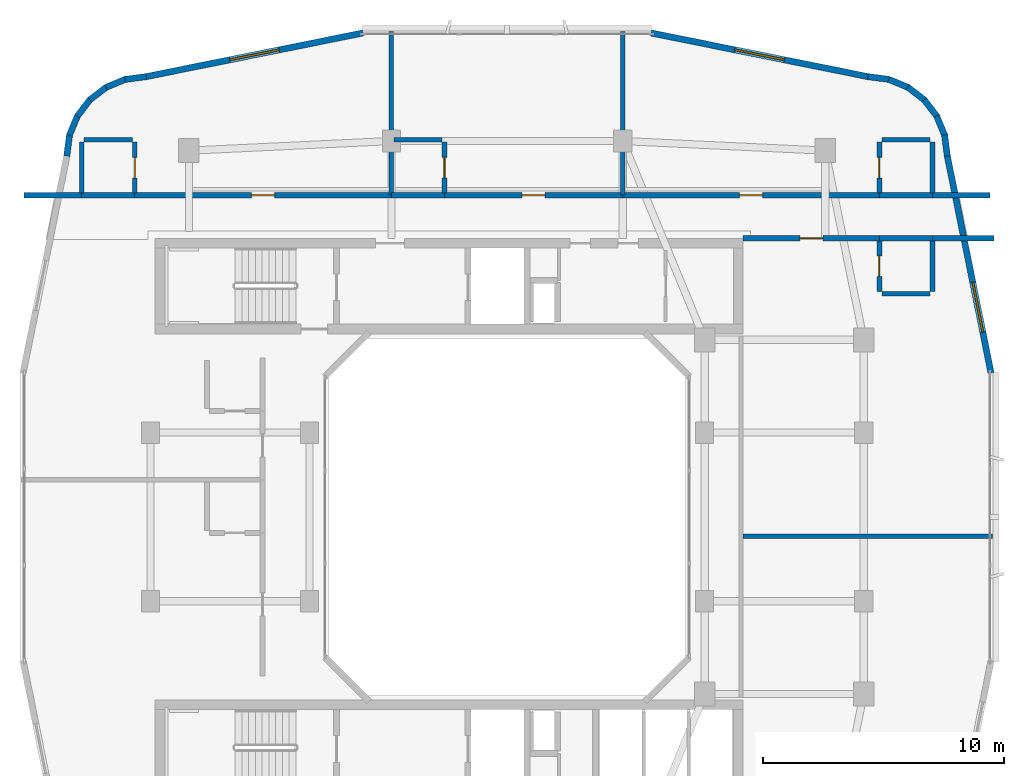
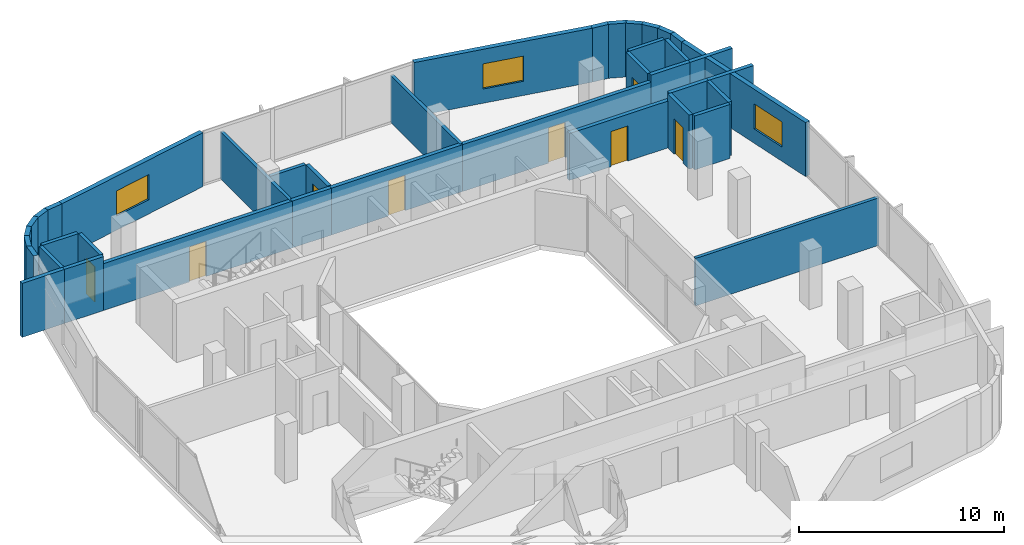
# One storey, part 9 of 14: 40 walls, 8 doors, 3 windows, 11 openings.
"""IFC4 building model written with IfcOpenShell, lengths in metres."""

from ifc_helpers import new_model, si_unit, derived_unit, direction, frame, frame_2d, origin, place, context, subcontext, project, spatial, rectangle, extrude, material, layer, layer_set, type_object, element, fill, save


model = new_model("IFC4")

# Units and contexts
model_context = context("Model", 3, precision=1e-05, world=origin(), true_north=direction((0.0, 1.0)))
body_context = subcontext(model_context, "Body", "Model", "MODEL_VIEW")
ifc_project = project(units=[si_unit("LENGTHUNIT", "METRE"), si_unit("AREAUNIT", "SQUARE_METRE"), si_unit("VOLUMEUNIT", "CUBIC_METRE"), si_unit("PLANEANGLEUNIT", "RADIAN"), si_unit("MASSUNIT", "GRAM", prefix="KILO"), derived_unit("THERMALTRANSMITTANCEUNIT", [(si_unit("POWERUNIT", "WATT"), 1), (si_unit("LENGTHUNIT", "METRE"), -2), (si_unit("THERMODYNAMICTEMPERATUREUNIT", "KELVIN"), -1)])], contexts=[model_context])

# Site, building, storey
site_placement = place(None, origin())
site = spatial("IfcSite", under=ifc_project, at=site_placement, CompositionType="ELEMENT")
building_placement = place(site_placement, origin())
building = spatial("IfcBuilding", under=site, at=building_placement, Name="Kivonza Crest Hotel", CompositionType="ELEMENT")
storey_placement = place(building_placement, frame((0.0, 0.0, 148.5)))
storey = spatial("IfcBuildingStorey", under=building, at=storey_placement, Name="L40", CompositionType="ELEMENT", Elevation=148.5)

# Walls
ifc_material_1 = material(Name="High-density acoustic masonry inter-tenancy wall", Category="masonry")
ifc_layer_1 = layer(ifc_material_1, 0.179931640625)
ifc_layer_set_1 = layer_set([ifc_layer_1], Name="High-density acoustic masonry inter-tenancy wall")
wall_type_1 = type_object("IfcWallType", Name="WL-ACOU-180", PredefinedType="SOLIDWALL", material=ifc_layer_set_1)
for number, where, z_axis, x_axis, name in (
    (1, (16.199951171875, 38.35009765625, 0.0), (0.0, 0.0, 1.0), (0.0, 1.0, 0.0), "L40 interior partition WA-L40-T1N-DIV1"),
    (2, (25.800048828125, 38.35009765625, 0.0), (0.0, 0.0, 1.0), (0.0, 1.0, 0.0), "L40 interior partition WA-L40-T1N-DIV2"),
):
    element("IfcWall", number, at=place(storey_placement, frame(where, z_axis=z_axis, x_axis=x_axis)), inside=storey, type_object=wall_type_1, Name=name, PredefinedType="SOLIDWALL", context=body_context, shape_type="SweptSolid", body=[
        extrude(rectangle(XDim=6.789794921875, YDim=0.179931640625, at=frame_2d((3.39501953125, 0.0))), origin(), (0.0, 0.0, 1.0), 2.794921875),
    ])
wall_1_placement = place(storey_placement, frame((30.800048828125, 24.199951171875, 0.0), z_axis=(0.0, 0.0, 1.0), x_axis=(1.0, 0.0, 0.0)))
element("IfcWall", 3, at=wall_1_placement, inside=storey, type_object=wall_type_1, Name="L40 interior partition WA-L40-T1EC-DIV", PredefinedType="SOLIDWALL", context=body_context, shape_type="SweptSolid", body=[
    extrude(rectangle(XDim=10.33984375, YDim=0.179931640625, at=frame_2d((5.169921875, 0.0))), origin(), (0.0, 0.0, 1.0), 2.8349609375),
])
ifc_material_2 = material(Name="Autoclaved aerated concrete blockwork", Category="masonry")
ifc_layer_2 = layer(ifc_material_2, 0.219970703125)
ifc_layer_set_2 = layer_set([ifc_layer_2], Name="Autoclaved aerated concrete blockwork")
wall_type_2 = type_object("IfcWallType", Name="WL-ACOU-220", PredefinedType="SOLIDWALL", material=ifc_layer_set_2)
wall_2_placement = place(storey_placement, frame((0.9599609375, 38.35009765625, 0.0), z_axis=(0.0, 0.0, 1.0), x_axis=(1.0, 0.0, 0.0)))
element("IfcWall", 4, at=wall_2_placement, inside=storey, type_object=wall_type_2, Name="L40 interior partition WA-L40-N01-XCORR", PredefinedType="SOLIDWALL", context=body_context, shape_type="SweptSolid", body=[
    extrude(rectangle(XDim=2.39013671875, YDim=0.219970703125, at=frame_2d((1.195068359375, 0.0))), origin(), (0.0, 0.0, 1.0), 3.219970703125),
])
wall_3_placement = place(storey_placement, frame((3.35009765625, 38.35009765625, 0.0), z_axis=(0.0, 0.0, 1.0), x_axis=(1.0, 0.0, 0.0)))
element("IfcWall", 5, at=wall_3_placement, inside=storey, type_object=wall_type_2, Name="L40 interior partition WA-L40-N01-BCORR", PredefinedType="SOLIDWALL", context=body_context, shape_type="SweptSolid", body=[
    extrude(rectangle(XDim=2.199951171875, YDim=0.219970703125, at=frame_2d((1.10009765625, 0.0))), origin(), (0.0, 0.0, 1.0), 3.219970703125),
])

# Wall, opening, door
wall_4_placement = place(storey_placement, frame((5.550048828125, 38.35009765625, 0.0), z_axis=(0.0, 0.0, 1.0), x_axis=(1.0, 0.0, 0.0)))
wall_4 = element("IfcWall", 6, at=wall_4_placement, inside=storey, type_object=wall_type_2, Name="L40 interior partition WA-L40-N01-MCORR", PredefinedType="SOLIDWALL", context=body_context, shape_type="SweptSolid", body=[
    extrude(rectangle(XDim=10.64990234375, YDim=0.219970703125, at=frame_2d((5.324951171875, 0.0))), origin(), (0.0, 0.0, 1.0), 2.794921875),
])
opening_1_placement = place(wall_4_placement, frame((4.85009765625, 0.0, 0.0)))
opening_1 = element("IfcOpeningElement", 7, at=opening_1_placement, cuts=wall_4, Name="Opening DU-60", PredefinedType="OPENING", context=body_context, shape_type="SweptSolid", body=[
    extrude(rectangle(XDim=0.949951171875, YDim=2.10009765625, at=frame_2d((0.47509765625, 1.050048828125))), frame((0.0, 0.1201171875, 0.0), z_axis=(0.0, -1.0, 0.0), x_axis=(1.0, 0.0, 0.0)), (0.0, 0.0, 1.0), 0.239990234375),
])
ifc_material_3 = material(Name="Hardwood timber oak", Category="wood")
door_type_1 = type_object("IfcDoorType", Name="DR-UNIT-950", OperationType="NOTDEFINED", PredefinedType="DOOR", material=ifc_material_3)
door_1_placement = place(opening_1_placement, origin())
door_1 = element("IfcDoor", 8, at=door_1_placement, inside=storey, type_object=door_type_1, Name="L40 N01 guest unit entrance fire door", OperationType="SINGLE_SWING_LEFT", OverallHeight=2.10009765625, OverallWidth=0.949951171875, PredefinedType="DOOR", context=body_context, shape_type="SweptSolid", body=[
    extrude(rectangle(XDim=0.949951171875, YDim=2.10009765625, at=frame_2d((0.47509765625, 1.050048828125))), frame((0.0, 0.02490234375, 0.0), z_axis=(0.0, -1.0, 0.0), x_axis=(1.0, 0.0, 0.0)), (0.0, 0.0, 1.0), 0.050048828125),
])
fill(opening_1, door_1)

# Wall
wall_5_placement = place(storey_placement, frame((16.199951171875, 38.35009765625, 0.0), z_axis=(0.0, 0.0, 1.0), x_axis=(1.0, 0.0, 0.0)))
element("IfcWall", 9, at=wall_5_placement, inside=storey, type_object=wall_type_2, Name="L40 interior partition WA-L40-N02-BCORR", PredefinedType="SOLIDWALL", context=body_context, shape_type="SweptSolid", body=[
    extrude(rectangle(XDim=2.199951171875, YDim=0.219970703125, at=frame_2d((1.10009765625, 0.0))), origin(), (0.0, 0.0, 1.0), 2.794921875),
])

# Wall, opening, door
wall_6_placement = place(storey_placement, frame((18.39990234375, 38.35009765625, 0.0), z_axis=(0.0, 0.0, 1.0), x_axis=(1.0, 0.0, 0.0)))
wall_6 = element("IfcWall", 10, at=wall_6_placement, inside=storey, type_object=wall_type_2, Name="L40 interior partition WA-L40-N02-MCORR", PredefinedType="SOLIDWALL", context=body_context, shape_type="SweptSolid", body=[
    extrude(rectangle(XDim=7.400146484375, YDim=0.219970703125, at=frame_2d((3.7001953125, 0.0))), origin(), (0.0, 0.0, 1.0), 2.794921875),
])
opening_2_placement = place(wall_6_placement, frame((3.22509765625, 0.0, 0.0)))
opening_2 = element("IfcOpeningElement", 11, at=opening_2_placement, cuts=wall_6, Name="Opening DU-60", PredefinedType="OPENING", context=body_context, shape_type="SweptSolid", body=[
    extrude(rectangle(XDim=0.949951171875, YDim=2.10009765625, at=frame_2d((0.47509765625, 1.050048828125))), frame((0.0, 0.1201171875, 0.0), z_axis=(0.0, -1.0, 0.0), x_axis=(1.0, 0.0, 0.0)), (0.0, 0.0, 1.0), 0.239990234375),
])
door_2_placement = place(opening_2_placement, origin())
door_2 = element("IfcDoor", 12, at=door_2_placement, inside=storey, type_object=door_type_1, Name="L40 N02 guest unit entrance fire door", OperationType="SINGLE_SWING_RIGHT", OverallHeight=2.10009765625, OverallWidth=0.949951171875, PredefinedType="DOOR", context=body_context, shape_type="SweptSolid", body=[
    extrude(rectangle(XDim=0.949951171875, YDim=2.10009765625, at=frame_2d((0.47509765625, 1.050048828125))), frame((0.0, 0.02490234375, 0.0), z_axis=(0.0, -1.0, 0.0), x_axis=(1.0, 0.0, 0.0)), (0.0, 0.0, 1.0), 0.050048828125),
])
fill(opening_2, door_2)

# Walls
wall_7_placement = place(storey_placement, frame((38.64990234375, 38.35009765625, 0.0), z_axis=(0.0, 0.0, 1.0), x_axis=(1.0, 0.0, 0.0)))
element("IfcWall", 13, at=wall_7_placement, inside=storey, type_object=wall_type_2, Name="L40 interior partition WA-L40-N03-XCORR", PredefinedType="SOLIDWALL", context=body_context, shape_type="SweptSolid", body=[
    extrude(rectangle(XDim=2.39013671875, YDim=0.219970703125, at=frame_2d((1.195068359375, 0.0))), origin(), (0.0, 0.0, 1.0), 3.219970703125),
])
wall_8_placement = place(storey_placement, frame((36.449951171875, 38.35009765625, 0.0), z_axis=(0.0, 0.0, 1.0), x_axis=(1.0, 0.0, 0.0)))
element("IfcWall", 14, at=wall_8_placement, inside=storey, type_object=wall_type_2, Name="L40 interior partition WA-L40-N03-BCORR", PredefinedType="SOLIDWALL", context=body_context, shape_type="SweptSolid", body=[
    extrude(rectangle(XDim=2.199951171875, YDim=0.219970703125, at=frame_2d((1.10009765625, 0.0))), origin(), (0.0, 0.0, 1.0), 3.219970703125),
])

# Wall, opening, door
wall_9_placement = place(storey_placement, frame((25.800048828125, 38.35009765625, 0.0), z_axis=(0.0, 0.0, 1.0), x_axis=(1.0, 0.0, 0.0)))
wall_9 = element("IfcWall", 15, at=wall_9_placement, inside=storey, type_object=wall_type_2, Name="L40 interior partition WA-L40-N03-MCORR", PredefinedType="SOLIDWALL", context=body_context, shape_type="SweptSolid", body=[
    extrude(rectangle(XDim=10.64990234375, YDim=0.219970703125, at=frame_2d((5.324951171875, 0.0))), origin(), (0.0, 0.0, 1.0), 2.794921875),
])
opening_3_placement = place(wall_9_placement, frame((4.85009765625, 0.0, 0.0)))
opening_3 = element("IfcOpeningElement", 16, at=opening_3_placement, cuts=wall_9, Name="Opening DU-60", PredefinedType="OPENING", context=body_context, shape_type="SweptSolid", body=[
    extrude(rectangle(XDim=0.949951171875, YDim=2.10009765625, at=frame_2d((0.47509765625, 1.050048828125))), frame((0.0, 0.1201171875, 0.0), z_axis=(0.0, -1.0, 0.0), x_axis=(1.0, 0.0, 0.0)), (0.0, 0.0, 1.0), 0.239990234375),
])
door_3_placement = place(opening_3_placement, origin())
door_3 = element("IfcDoor", 17, at=door_3_placement, inside=storey, type_object=door_type_1, Name="L40 N03 guest unit entrance fire door", OperationType="SINGLE_SWING_LEFT", OverallHeight=2.10009765625, OverallWidth=0.949951171875, PredefinedType="DOOR", context=body_context, shape_type="SweptSolid", body=[
    extrude(rectangle(XDim=0.949951171875, YDim=2.10009765625, at=frame_2d((0.47509765625, 1.050048828125))), frame((0.0, 0.02490234375, 0.0), z_axis=(0.0, -1.0, 0.0), x_axis=(1.0, 0.0, 0.0)), (0.0, 0.0, 1.0), 0.050048828125),
])
fill(opening_3, door_3)

# Walls
wall_10_placement = place(storey_placement, frame((38.64990234375, 36.56005859375, 0.0), z_axis=(0.0, 0.0, 1.0), x_axis=(1.0, 0.0, 0.0)))
element("IfcWall", 18, at=wall_10_placement, inside=storey, type_object=wall_type_2, Name="L40 interior partition WA-L40-EN10-XCORR", PredefinedType="SOLIDWALL", context=body_context, shape_type="SweptSolid", body=[
    extrude(rectangle(XDim=2.550048828125, YDim=0.219970703125, at=frame_2d((1.27490234375, 0.0))), origin(), (0.0, 0.0, 1.0), 3.219970703125),
])
wall_11_placement = place(storey_placement, frame((36.449951171875, 36.56005859375, 0.0), z_axis=(0.0, 0.0, 1.0), x_axis=(1.0, 0.0, 0.0)))
element("IfcWall", 19, at=wall_11_placement, inside=storey, type_object=wall_type_2, Name="L40 interior partition WA-L40-EN10-BCORR", PredefinedType="SOLIDWALL", context=body_context, shape_type="SweptSolid", body=[
    extrude(rectangle(XDim=2.199951171875, YDim=0.219970703125, at=frame_2d((1.10009765625, 0.0))), origin(), (0.0, 0.0, 1.0), 3.219970703125),
])

# Wall, opening, door
wall_12_placement = place(storey_placement, frame((30.800048828125, 36.56005859375, 0.0), z_axis=(0.0, 0.0, 1.0), x_axis=(1.0, 0.0, 0.0)))
wall_12 = element("IfcWall", 20, at=wall_12_placement, inside=storey, type_object=wall_type_2, Name="L40 interior partition WA-L40-EN10-MCORR", PredefinedType="SOLIDWALL", context=body_context, shape_type="SweptSolid", body=[
    extrude(rectangle(XDim=5.64990234375, YDim=0.219970703125, at=frame_2d((2.824951171875, 0.0))), origin(), (0.0, 0.0, 1.0), 2.794921875),
])
opening_4_placement = place(wall_12_placement, frame((2.35009765625, 0.0, 0.0)))
opening_4 = element("IfcOpeningElement", 21, at=opening_4_placement, cuts=wall_12, Name="Opening DU-60", PredefinedType="OPENING", context=body_context, shape_type="SweptSolid", body=[
    extrude(rectangle(XDim=0.949951171875, YDim=2.10009765625, at=frame_2d((0.47509765625, 1.050048828125))), frame((0.0, 0.1201171875, 0.0), z_axis=(0.0, -1.0, 0.0), x_axis=(1.0, 0.0, 0.0)), (0.0, 0.0, 1.0), 0.239990234375),
])
door_4_placement = place(opening_4_placement, frame((0.949951171875, 0.0, 0.0), z_axis=(0.0, 0.0, 1.0), x_axis=(-1.0, 0.0, 0.0)))
door_4 = element("IfcDoor", 22, at=door_4_placement, inside=storey, type_object=door_type_1, Name="L40 EN10 guest unit entrance fire door", OperationType="SINGLE_SWING_LEFT", OverallHeight=2.10009765625, OverallWidth=0.949951171875, PredefinedType="DOOR", context=body_context, shape_type="SweptSolid", body=[
    extrude(rectangle(XDim=0.949951171875, YDim=2.10009765625, at=frame_2d((0.47509765625, 1.050048828125))), frame((0.0, 0.02490234375, 0.0), z_axis=(0.0, -1.0, 0.0), x_axis=(1.0, 0.0, 0.0)), (0.0, 0.0, 1.0), 0.050048828125),
])
fill(opening_4, door_4)

# Wall, opening, window
ifc_material_4 = material(Name="Precast concrete C40/50", Category="concrete")
ifc_layer_3 = layer(ifc_material_4, 0.260009765625)
ifc_layer_set_3 = layer_set([ifc_layer_3], Name="Precast concrete C40/50")
wall_type_3 = type_object("IfcWallType", Name="WL-EXT-260", PredefinedType="STANDARD", material=ifc_layer_set_3)
wall_13_placement = place(storey_placement, frame((41.083984375, 30.97998046875, 0.0), z_axis=(0.0, 0.0, 1.0), x_axis=(-0.197435082048, 0.980315963543, 0.0)))
wall_13 = element("IfcWall", 23, at=wall_13_placement, inside=storey, type_object=wall_type_3, Name="L40 T1 exterior insulated wall 18", PredefinedType="STANDARD", context=body_context, shape_type="SweptSolid", body=[
    extrude(rectangle(XDim=9.1826171875, YDim=0.260009765625, at=frame_2d((4.59130859375, 0.0))), origin(), (0.0, 0.0, 1.0), 3.219970703125),
])
opening_5_placement = place(wall_13_placement, frame((1.73388671875, 0.0, 0.85009765625)))
opening_5 = element("IfcOpeningElement", 24, at=opening_5_placement, cuts=wall_13, Name="Opening WN-04", PredefinedType="OPENING", context=body_context, shape_type="SweptSolid", body=[
    extrude(rectangle(XDim=2.10009765625, YDim=1.5, at=frame_2d((1.050048828125, 0.75))), frame((0.0, 0.14013671875, 0.0), z_axis=(0.0, -1.0, 0.0), x_axis=(1.0, 0.0, 0.0)), (0.0, 0.0, 1.0), 0.280029296875),
])
ifc_material_5 = material(Name="Thermally broken bronze aluminium and low-E double glazing", Category="aluminium")
window_type = type_object("IfcWindowType", Name="WN-210x150", PartitioningType="DOUBLE_PANEL_VERTICAL", PredefinedType="WINDOW", material=ifc_material_5)
window_1_placement = place(opening_5_placement, origin())
window_1 = element("IfcWindow", 25, at=window_1_placement, inside=storey, type_object=window_type, Name="L40 T1 facade window 18", OverallHeight=1.5, OverallWidth=2.10009765625, PartitioningType="SINGLE_PANEL", PredefinedType="WINDOW", context=body_context, shape_type="SweptSolid", body=[
    extrude(rectangle(XDim=2.10009765625, YDim=1.5, at=frame_2d((1.050048828125, 0.75))), frame((0.0, 0.030029296875, 0.0), z_axis=(0.0, -1.0, 0.0), x_axis=(1.0, 0.0, 0.0)), (0.0, 0.0, 1.0), 0.06005859375),
])
fill(opening_5, window_1)

# Walls
wall_14_placement = place(storey_placement, frame((39.27197265625, 39.97509765625, 0.0), z_axis=(0.0, 0.0, 1.0), x_axis=(-0.130953706898, 0.991388484223, 0.0)))
element("IfcWall", 26, at=wall_14_placement, inside=storey, type_object=wall_type_3, Name="L40 T1 exterior insulated wall 19", PredefinedType="STANDARD", context=body_context, shape_type="SweptSolid", body=[
    extrude(rectangle(XDim=0.885498046875, YDim=0.260009765625, at=frame_2d((0.44287109375, 0.0))), origin(), (0.0, 0.0, 1.0), 3.219970703125),
])
wall_15_placement = place(storey_placement, frame((39.174072265625, 40.806884765625, 0.0), z_axis=(0.0, 0.0, 1.0), x_axis=(-0.383290660547, 0.923627776508, 0.0)))
element("IfcWall", 27, at=wall_15_placement, inside=storey, type_object=wall_type_3, Name="L40 T1 exterior insulated wall 20", PredefinedType="STANDARD", context=body_context, shape_type="SweptSolid", body=[
    extrude(rectangle(XDim=0.9033203125, YDim=0.260009765625, at=frame_2d((0.45166015625, 0.0))), origin(), (0.0, 0.0, 1.0), 3.219970703125),
])
wall_16_placement = place(storey_placement, frame((38.85595703125, 41.60107421875, 0.0), z_axis=(0.0, 0.0, 1.0), x_axis=(-0.608624690463, 0.793458244748, 0.0)))
element("IfcWall", 28, at=wall_16_placement, inside=storey, type_object=wall_type_3, Name="L40 T1 exterior insulated wall 21", PredefinedType="STANDARD", context=body_context, shape_type="SweptSolid", body=[
    extrude(rectangle(XDim=0.902099609375, YDim=0.260009765625, at=frame_2d((0.451171875, 0.0))), origin(), (0.0, 0.0, 1.0), 3.219970703125),
])
wall_17_placement = place(storey_placement, frame((38.344970703125, 42.285888671875, 0.0), z_axis=(0.0, 0.0, 1.0), x_axis=(-0.793558456666, 0.608494022858, 0.0)))
element("IfcWall", 29, at=wall_17_placement, inside=storey, type_object=wall_type_3, Name="L40 T1 exterior insulated wall 22", PredefinedType="STANDARD", context=body_context, shape_type="SweptSolid", body=[
    extrude(rectangle(XDim=0.90234375, YDim=0.260009765625, at=frame_2d((0.451171875, 0.0))), origin(), (0.0, 0.0, 1.0), 3.219970703125),
])
wall_18_placement = place(storey_placement, frame((37.673095703125, 42.81396484375, 0.0), z_axis=(0.0, 0.0, 1.0), x_axis=(-0.923683767999, 0.383155708213, 0.0)))
element("IfcWall", 30, at=wall_18_placement, inside=storey, type_object=wall_type_3, Name="L40 T1 exterior insulated wall 23", PredefinedType="STANDARD", context=body_context, shape_type="SweptSolid", body=[
    extrude(rectangle(XDim=0.90283203125, YDim=0.260009765625, at=frame_2d((0.451416015625, 0.0))), origin(), (0.0, 0.0, 1.0), 3.219970703125),
])
wall_19_placement = place(storey_placement, frame((36.887939453125, 43.152099609375, 0.0), z_axis=(0.0, 0.0, 1.0), x_axis=(-0.991487658083, 0.130200706103, 0.0)))
element("IfcWall", 31, at=wall_19_placement, inside=storey, type_object=wall_type_3, Name="L40 T1 exterior insulated wall 24", PredefinedType="STANDARD", context=body_context, shape_type="SweptSolid", body=[
    extrude(rectangle(XDim=0.920654296875, YDim=0.260009765625, at=frame_2d((0.46044921875, 0.0))), origin(), (0.0, 0.0, 1.0), 3.219970703125),
])

# Wall, opening, window
wall_20_placement = place(storey_placement, frame((35.98193359375, 43.27099609375, 0.0), z_axis=(0.0, 0.0, 1.0), x_axis=(-0.980315963543, 0.197435082048, 0.0)))
wall_20 = element("IfcWall", 32, at=wall_20_placement, inside=storey, type_object=wall_type_3, Name="L40 T1 exterior insulated wall 25", PredefinedType="STANDARD", context=body_context, shape_type="SweptSolid", body=[
    extrude(rectangle(XDim=9.1826171875, YDim=0.260009765625, at=frame_2d((4.59130859375, 0.0))), origin(), (0.0, 0.0, 1.0), 3.219970703125),
])
opening_6_placement = place(wall_20_placement, frame((3.541015625, 0.0, 0.85009765625)))
opening_6 = element("IfcOpeningElement", 33, at=opening_6_placement, cuts=wall_20, Name="Opening WN-04", PredefinedType="OPENING", context=body_context, shape_type="SweptSolid", body=[
    extrude(rectangle(XDim=2.10009765625, YDim=1.5, at=frame_2d((1.050048828125, 0.75))), frame((0.0, 0.14013671875, 0.0), z_axis=(0.0, -1.0, 0.0), x_axis=(1.0, 0.0, 0.0)), (0.0, 0.0, 1.0), 0.280029296875),
])
window_2_placement = place(opening_6_placement, origin())
window_2 = element("IfcWindow", 34, at=window_2_placement, inside=storey, type_object=window_type, Name="L40 T1 facade window 25", OverallHeight=1.5, OverallWidth=2.10009765625, PartitioningType="SINGLE_PANEL", PredefinedType="WINDOW", context=body_context, shape_type="SweptSolid", body=[
    extrude(rectangle(XDim=2.10009765625, YDim=1.5, at=frame_2d((1.050048828125, 0.75))), frame((0.0, 0.030029296875, 0.0), z_axis=(0.0, -1.0, 0.0), x_axis=(1.0, 0.0, 0.0)), (0.0, 0.0, 1.0), 0.06005859375),
])
fill(opening_6, window_2)

wall_21_placement = place(storey_placement, frame((15.02001953125, 45.083984375, 0.0), z_axis=(0.0, 0.0, 1.0), x_axis=(-0.980315963543, -0.197435082048, 0.0)))
wall_21 = element("IfcWall", 35, at=wall_21_placement, inside=storey, type_object=wall_type_3, Name="L40 T1 exterior insulated wall 27", PredefinedType="STANDARD", context=body_context, shape_type="SweptSolid", body=[
    extrude(rectangle(XDim=9.1826171875, YDim=0.260009765625, at=frame_2d((4.59130859375, 0.0))), origin(), (0.0, 0.0, 1.0), 3.219970703125),
])
opening_7_placement = place(wall_21_placement, frame((3.541015625, 0.0, 0.85009765625)))
opening_7 = element("IfcOpeningElement", 36, at=opening_7_placement, cuts=wall_21, Name="Opening WN-04", PredefinedType="OPENING", context=body_context, shape_type="SweptSolid", body=[
    extrude(rectangle(XDim=2.10009765625, YDim=1.5, at=frame_2d((1.050048828125, 0.75))), frame((0.0, 0.14013671875, 0.0), z_axis=(0.0, -1.0, 0.0), x_axis=(1.0, 0.0, 0.0)), (0.0, 0.0, 1.0), 0.280029296875),
])
window_3_placement = place(opening_7_placement, origin())
window_3 = element("IfcWindow", 37, at=window_3_placement, inside=storey, type_object=window_type, Name="L40 T1 facade window 27", OverallHeight=1.5, OverallWidth=2.10009765625, PartitioningType="SINGLE_PANEL", PredefinedType="WINDOW", context=body_context, shape_type="SweptSolid", body=[
    extrude(rectangle(XDim=2.10009765625, YDim=1.5, at=frame_2d((1.050048828125, 0.75))), frame((0.0, 0.030029296875, 0.0), z_axis=(0.0, -1.0, 0.0), x_axis=(1.0, 0.0, 0.0)), (0.0, 0.0, 1.0), 0.06005859375),
])
fill(opening_7, window_3)

# Walls
wall_22_placement = place(storey_placement, frame((6.02490234375, 43.27197265625, 0.0), z_axis=(0.0, 0.0, 1.0), x_axis=(-0.991388484223, -0.130953706898, 0.0)))
element("IfcWall", 38, at=wall_22_placement, inside=storey, type_object=wall_type_3, Name="L40 T1 exterior insulated wall 28", PredefinedType="STANDARD", context=body_context, shape_type="SweptSolid", body=[
    extrude(rectangle(XDim=0.885498046875, YDim=0.260009765625, at=frame_2d((0.44287109375, 0.0))), origin(), (0.0, 0.0, 1.0), 3.219970703125),
])
wall_23_placement = place(storey_placement, frame((5.193115234375, 43.174072265625, 0.0), z_axis=(0.0, 0.0, 1.0), x_axis=(-0.923627776508, -0.383290660547, 0.0)))
element("IfcWall", 39, at=wall_23_placement, inside=storey, type_object=wall_type_3, Name="L40 T1 exterior insulated wall 29", PredefinedType="STANDARD", context=body_context, shape_type="SweptSolid", body=[
    extrude(rectangle(XDim=0.9033203125, YDim=0.260009765625, at=frame_2d((0.45166015625, 0.0))), origin(), (0.0, 0.0, 1.0), 3.219970703125),
])
wall_24_placement = place(storey_placement, frame((4.39892578125, 42.85595703125, 0.0), z_axis=(0.0, 0.0, 1.0), x_axis=(-0.793458244748, -0.608624690463, 0.0)))
element("IfcWall", 40, at=wall_24_placement, inside=storey, type_object=wall_type_3, Name="L40 T1 exterior insulated wall 30", PredefinedType="STANDARD", context=body_context, shape_type="SweptSolid", body=[
    extrude(rectangle(XDim=0.902099609375, YDim=0.260009765625, at=frame_2d((0.451171875, 0.0))), origin(), (0.0, 0.0, 1.0), 3.219970703125),
])
wall_25_placement = place(storey_placement, frame((3.714111328125, 42.344970703125, 0.0), z_axis=(0.0, 0.0, 1.0), x_axis=(-0.608494022858, -0.793558456666, 0.0)))
element("IfcWall", 41, at=wall_25_placement, inside=storey, type_object=wall_type_3, Name="L40 T1 exterior insulated wall 31", PredefinedType="STANDARD", context=body_context, shape_type="SweptSolid", body=[
    extrude(rectangle(XDim=0.90234375, YDim=0.260009765625, at=frame_2d((0.451171875, 0.0))), origin(), (0.0, 0.0, 1.0), 3.219970703125),
])
wall_26_placement = place(storey_placement, frame((3.18603515625, 41.673095703125, 0.0), z_axis=(0.0, 0.0, 1.0), x_axis=(-0.383155708213, -0.923683767999, 0.0)))
element("IfcWall", 42, at=wall_26_placement, inside=storey, type_object=wall_type_3, Name="L40 T1 exterior insulated wall 32", PredefinedType="STANDARD", context=body_context, shape_type="SweptSolid", body=[
    extrude(rectangle(XDim=0.90283203125, YDim=0.260009765625, at=frame_2d((0.451416015625, 0.0))), origin(), (0.0, 0.0, 1.0), 3.219970703125),
])
wall_27_placement = place(storey_placement, frame((2.847900390625, 40.887939453125, 0.0), z_axis=(0.0, 0.0, 1.0), x_axis=(-0.130200706103, -0.991487658083, 0.0)))
element("IfcWall", 43, at=wall_27_placement, inside=storey, type_object=wall_type_3, Name="L40 T1 exterior insulated wall 33", PredefinedType="STANDARD", context=body_context, shape_type="SweptSolid", body=[
    extrude(rectangle(XDim=0.920654296875, YDim=0.260009765625, at=frame_2d((0.46044921875, 0.0))), origin(), (0.0, 0.0, 1.0), 3.219970703125),
])

# Wall, opening, door
ifc_material_6 = material(Name="Moisture-resistant plumbing chase partition wall", Category="gypsum")
ifc_layer_4 = layer(ifc_material_6, 0.199951171875)
ifc_layer_set_4 = layer_set([ifc_layer_4], Name="Moisture-resistant plumbing chase partition wall")
wall_type_4 = type_object("IfcWallType", Name="WL-PLUMB-200", PredefinedType="PLUMBINGWALL", material=ifc_layer_set_4)
wall_28_placement = place(storey_placement, frame((5.550048828125, 38.449951171875, 0.0), z_axis=(0.0, 0.0, 1.0), x_axis=(0.0, 1.0, 0.0)))
wall_28 = element("IfcWall", 44, at=wall_28_placement, inside=storey, type_object=wall_type_4, Name="L40 interior partition WW-L40-N01-BV", PredefinedType="PLUMBINGWALL", context=body_context, shape_type="SweptSolid", body=[
    extrude(rectangle(XDim=2.10009765625, YDim=0.199951171875, at=frame_2d((1.050048828125, 0.0))), origin(), (0.0, 0.0, 1.0), 3.219970703125),
])
opening_8_placement = place(wall_28_placement, frame((0.625, 0.0, 0.0)))
opening_8 = element("IfcOpeningElement", 45, at=opening_8_placement, cuts=wall_28, Name="Opening DI-85", PredefinedType="OPENING", context=body_context, shape_type="SweptSolid", body=[
    extrude(rectangle(XDim=0.85009765625, YDim=2.10009765625, at=frame_2d((0.425048828125, 1.050048828125))), frame((0.0, 0.10986328125, 0.0), z_axis=(0.0, -1.0, 0.0), x_axis=(1.0, 0.0, 0.0)), (0.0, 0.0, 1.0), 0.219970703125),
])
door_type_2 = type_object("IfcDoorType", Name="DR-INT-850", OperationType="NOTDEFINED", PredefinedType="DOOR", material=ifc_material_3)
door_5_placement = place(opening_8_placement, frame((0.85009765625, 0.0, 0.0), z_axis=(0.0, 0.0, 1.0), x_axis=(-1.0, 0.0, 0.0)))
door_5 = element("IfcDoor", 46, at=door_5_placement, inside=storey, type_object=door_type_2, Name="L40 N01 en-suite bathroom door", OperationType="SINGLE_SWING_RIGHT", OverallHeight=2.10009765625, OverallWidth=0.85009765625, PredefinedType="DOOR", context=body_context, shape_type="SweptSolid", body=[
    extrude(rectangle(XDim=0.85009765625, YDim=2.10009765625, at=frame_2d((0.425048828125, 1.050048828125))), frame((0.0, 0.02490234375, 0.0), z_axis=(0.0, -1.0, 0.0), x_axis=(1.0, 0.0, 0.0)), (0.0, 0.0, 1.0), 0.050048828125),
])
fill(opening_8, door_5)

# Walls
wall_29_placement = place(storey_placement, frame((3.449951171875, 40.64990234375, 0.0), z_axis=(0.0, 0.0, 1.0), x_axis=(1.0, 0.0, 0.0)))
element("IfcWall", 47, at=wall_29_placement, inside=storey, type_object=wall_type_4, Name="L40 interior partition WW-L40-N01-BH", PredefinedType="PLUMBINGWALL", context=body_context, shape_type="SweptSolid", body=[
    extrude(rectangle(XDim=2.0, YDim=0.199951171875, at=frame_2d((1.0, 0.0))), origin(), (0.0, 0.0, 1.0), 3.219970703125),
])
wall_30_placement = place(storey_placement, frame((3.35009765625, 38.449951171875, 0.0), z_axis=(0.0, 0.0, 1.0), x_axis=(0.0, 1.0, 0.0)))
element("IfcWall", 48, at=wall_30_placement, inside=storey, type_object=wall_type_4, Name="L40 interior partition WW-L40-N01-BVW", PredefinedType="PLUMBINGWALL", context=body_context, shape_type="SweptSolid", body=[
    extrude(rectangle(XDim=2.10009765625, YDim=0.199951171875, at=frame_2d((1.050048828125, 0.0))), origin(), (0.0, 0.0, 1.0), 3.219970703125),
])

# Wall, opening, door
wall_31_placement = place(storey_placement, frame((18.39990234375, 38.449951171875, 0.0), z_axis=(0.0, 0.0, 1.0), x_axis=(0.0, 1.0, 0.0)))
wall_31 = element("IfcWall", 49, at=wall_31_placement, inside=storey, type_object=wall_type_4, Name="L40 interior partition WW-L40-N02-BV", PredefinedType="PLUMBINGWALL", context=body_context, shape_type="SweptSolid", body=[
    extrude(rectangle(XDim=2.10009765625, YDim=0.199951171875, at=frame_2d((1.050048828125, 0.0))), origin(), (0.0, 0.0, 1.0), 2.8349609375),
])
opening_9_placement = place(wall_31_placement, frame((0.625, 0.0, 0.0)))
opening_9 = element("IfcOpeningElement", 50, at=opening_9_placement, cuts=wall_31, Name="Opening DI-85", PredefinedType="OPENING", context=body_context, shape_type="SweptSolid", body=[
    extrude(rectangle(XDim=0.85009765625, YDim=2.10009765625, at=frame_2d((0.425048828125, 1.050048828125))), frame((0.0, 0.10986328125, 0.0), z_axis=(0.0, -1.0, 0.0), x_axis=(1.0, 0.0, 0.0)), (0.0, 0.0, 1.0), 0.219970703125),
])
door_6_placement = place(opening_9_placement, frame((0.85009765625, 0.0, 0.0), z_axis=(0.0, 0.0, 1.0), x_axis=(-1.0, 0.0, 0.0)))
door_6 = element("IfcDoor", 51, at=door_6_placement, inside=storey, type_object=door_type_2, Name="L40 N02 en-suite bathroom door", OperationType="SINGLE_SWING_LEFT", OverallHeight=2.10009765625, OverallWidth=0.85009765625, PredefinedType="DOOR", context=body_context, shape_type="SweptSolid", body=[
    extrude(rectangle(XDim=0.85009765625, YDim=2.10009765625, at=frame_2d((0.425048828125, 1.050048828125))), frame((0.0, 0.02490234375, 0.0), z_axis=(0.0, -1.0, 0.0), x_axis=(1.0, 0.0, 0.0)), (0.0, 0.0, 1.0), 0.050048828125),
])
fill(opening_9, door_6)

# Wall
wall_32_placement = place(storey_placement, frame((16.300048828125, 40.64990234375, 0.0), z_axis=(0.0, 0.0, 1.0), x_axis=(1.0, 0.0, 0.0)))
element("IfcWall", 52, at=wall_32_placement, inside=storey, type_object=wall_type_4, Name="L40 interior partition WW-L40-N02-BH", PredefinedType="PLUMBINGWALL", context=body_context, shape_type="SweptSolid", body=[
    extrude(rectangle(XDim=2.0, YDim=0.199951171875, at=frame_2d((1.0, 0.0))), origin(), (0.0, 0.0, 1.0), 2.8349609375),
])

# Wall, opening, door
wall_33_placement = place(storey_placement, frame((36.449951171875, 38.449951171875, 0.0), z_axis=(0.0, 0.0, 1.0), x_axis=(0.0, 1.0, 0.0)))
wall_33 = element("IfcWall", 53, at=wall_33_placement, inside=storey, type_object=wall_type_4, Name="L40 interior partition WW-L40-N03-BV", PredefinedType="PLUMBINGWALL", context=body_context, shape_type="SweptSolid", body=[
    extrude(rectangle(XDim=2.10009765625, YDim=0.199951171875, at=frame_2d((1.050048828125, 0.0))), origin(), (0.0, 0.0, 1.0), 3.219970703125),
])
opening_10_placement = place(wall_33_placement, frame((0.625, 0.0, 0.0)))
opening_10 = element("IfcOpeningElement", 54, at=opening_10_placement, cuts=wall_33, Name="Opening DI-85", PredefinedType="OPENING", context=body_context, shape_type="SweptSolid", body=[
    extrude(rectangle(XDim=0.85009765625, YDim=2.10009765625, at=frame_2d((0.425048828125, 1.050048828125))), frame((0.0, 0.10986328125, 0.0), z_axis=(0.0, -1.0, 0.0), x_axis=(1.0, 0.0, 0.0)), (0.0, 0.0, 1.0), 0.219970703125),
])
door_7_placement = place(opening_10_placement, origin())
door_7 = element("IfcDoor", 55, at=door_7_placement, inside=storey, type_object=door_type_2, Name="L40 N03 en-suite bathroom door", OperationType="SINGLE_SWING_RIGHT", OverallHeight=2.10009765625, OverallWidth=0.85009765625, PredefinedType="DOOR", context=body_context, shape_type="SweptSolid", body=[
    extrude(rectangle(XDim=0.85009765625, YDim=2.10009765625, at=frame_2d((0.425048828125, 1.050048828125))), frame((0.0, 0.02490234375, 0.0), z_axis=(0.0, -1.0, 0.0), x_axis=(1.0, 0.0, 0.0)), (0.0, 0.0, 1.0), 0.050048828125),
])
fill(opening_10, door_7)

# Walls
wall_34_placement = place(storey_placement, frame((36.550048828125, 40.64990234375, 0.0), z_axis=(0.0, 0.0, 1.0), x_axis=(1.0, 0.0, 0.0)))
element("IfcWall", 56, at=wall_34_placement, inside=storey, type_object=wall_type_4, Name="L40 interior partition WW-L40-N03-BH", PredefinedType="PLUMBINGWALL", context=body_context, shape_type="SweptSolid", body=[
    extrude(rectangle(XDim=2.0, YDim=0.199951171875, at=frame_2d((1.0, 0.0))), origin(), (0.0, 0.0, 1.0), 3.219970703125),
])
wall_35_placement = place(storey_placement, frame((38.64990234375, 38.449951171875, 0.0), z_axis=(0.0, 0.0, 1.0), x_axis=(0.0, 1.0, 0.0)))
element("IfcWall", 57, at=wall_35_placement, inside=storey, type_object=wall_type_4, Name="L40 interior partition WW-L40-N03-BVE", PredefinedType="PLUMBINGWALL", context=body_context, shape_type="SweptSolid", body=[
    extrude(rectangle(XDim=2.10009765625, YDim=0.199951171875, at=frame_2d((1.050048828125, 0.0))), origin(), (0.0, 0.0, 1.0), 3.219970703125),
])

# Wall, opening, door
wall_36_placement = place(storey_placement, frame((36.449951171875, 34.360107421875, 0.0), z_axis=(0.0, 0.0, 1.0), x_axis=(0.0, 1.0, 0.0)))
wall_36 = element("IfcWall", 58, at=wall_36_placement, inside=storey, type_object=wall_type_4, Name="L40 interior partition WW-L40-EN10-BV", PredefinedType="PLUMBINGWALL", context=body_context, shape_type="SweptSolid", body=[
    extrude(rectangle(XDim=2.099853515625, YDim=0.199951171875, at=frame_2d((1.0498046875, 0.0))), origin(), (0.0, 0.0, 1.0), 3.219970703125),
])
opening_11_placement = place(wall_36_placement, frame((0.625, 0.0, 0.0)))
opening_11 = element("IfcOpeningElement", 59, at=opening_11_placement, cuts=wall_36, Name="Opening DI-85", PredefinedType="OPENING", context=body_context, shape_type="SweptSolid", body=[
    extrude(rectangle(XDim=0.85009765625, YDim=2.10009765625, at=frame_2d((0.425048828125, 1.050048828125))), frame((0.0, 0.10986328125, 0.0), z_axis=(0.0, -1.0, 0.0), x_axis=(1.0, 0.0, 0.0)), (0.0, 0.0, 1.0), 0.219970703125),
])
door_8_placement = place(opening_11_placement, origin())
door_8 = element("IfcDoor", 60, at=door_8_placement, inside=storey, type_object=door_type_2, Name="L40 EN10 en-suite bathroom door", OperationType="SINGLE_SWING_RIGHT", OverallHeight=2.10009765625, OverallWidth=0.85009765625, PredefinedType="DOOR", context=body_context, shape_type="SweptSolid", body=[
    extrude(rectangle(XDim=0.85009765625, YDim=2.10009765625, at=frame_2d((0.425048828125, 1.050048828125))), frame((0.0, 0.02490234375, 0.0), z_axis=(0.0, -1.0, 0.0), x_axis=(1.0, 0.0, 0.0)), (0.0, 0.0, 1.0), 0.050048828125),
])
fill(opening_11, door_8)

# Walls
wall_37_placement = place(storey_placement, frame((36.550048828125, 34.260009765625, 0.0), z_axis=(0.0, 0.0, 1.0), x_axis=(1.0, 0.0, 0.0)))
element("IfcWall", 61, at=wall_37_placement, inside=storey, type_object=wall_type_4, Name="L40 interior partition WW-L40-EN10-BH", PredefinedType="PLUMBINGWALL", context=body_context, shape_type="SweptSolid", body=[
    extrude(rectangle(XDim=2.0, YDim=0.199951171875, at=frame_2d((1.0, 0.0))), origin(), (0.0, 0.0, 1.0), 3.219970703125),
])
wall_38_placement = place(storey_placement, frame((38.64990234375, 34.360107421875, 0.0), z_axis=(0.0, 0.0, 1.0), x_axis=(0.0, 1.0, 0.0)))
element("IfcWall", 62, at=wall_38_placement, inside=storey, type_object=wall_type_4, Name="L40 interior partition WW-L40-EN10-BVE", PredefinedType="PLUMBINGWALL", context=body_context, shape_type="SweptSolid", body=[
    extrude(rectangle(XDim=2.099853515625, YDim=0.199951171875, at=frame_2d((1.0498046875, 0.0))), origin(), (0.0, 0.0, 1.0), 3.219970703125),
])

save(model, "model.ifc")
